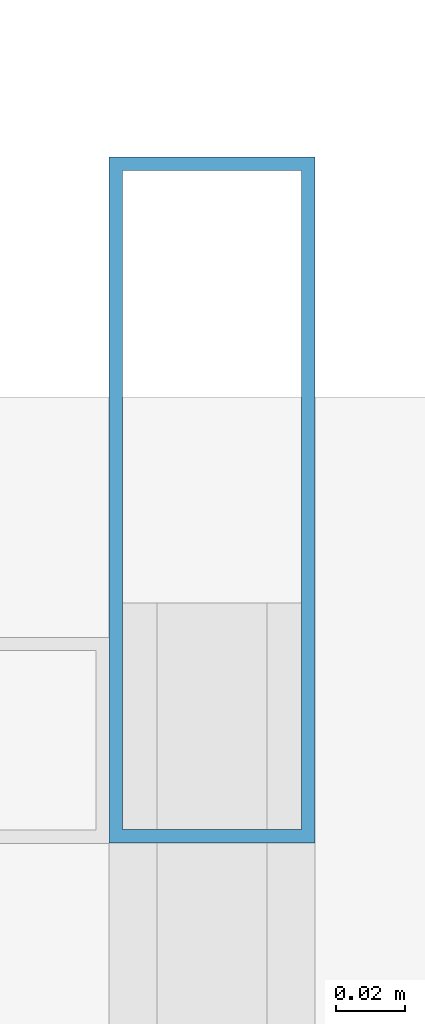
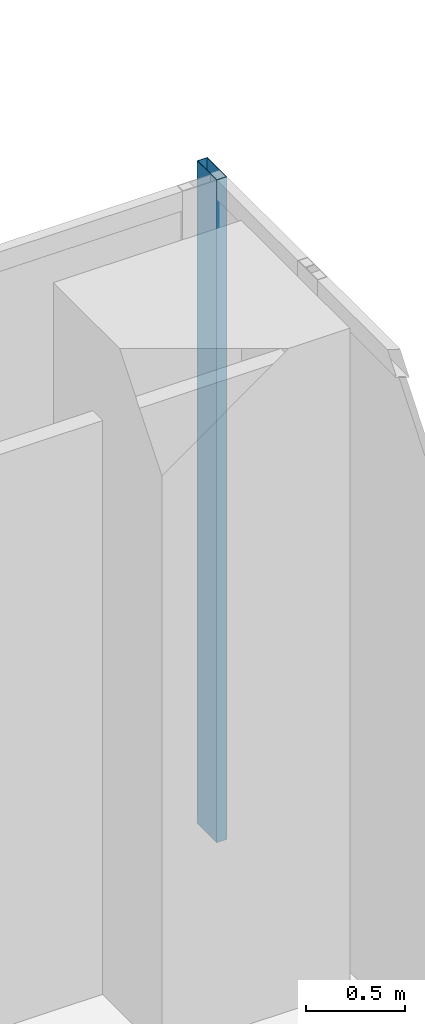
# One storey, part 21 of 34: 1 member, 1 element without a shape of its own.
"""IFC4 building model written with IfcOpenShell, lengths in metres."""

from ifc_helpers import new_model, si_unit, direction, frame, origin, origin_2d, place, context, subcontext, project, spatial, hollow_rectangle, extrude, source, transform, mapped, material, material_profile, profile_set, type_object, element, aggregate, save


model = new_model("IFC4")

# Units and contexts
model_context = context("Model", 3, precision=1e-05, world=origin(), true_north=direction((0.0, 1.0)))
body_context = subcontext(model_context, "Body", "Model", "MODEL_VIEW")
ifc_project = project(units=[si_unit("LENGTHUNIT", "METRE"), si_unit("AREAUNIT", "SQUARE_METRE"), si_unit("VOLUMEUNIT", "CUBIC_METRE"), si_unit("PLANEANGLEUNIT", "RADIAN"), si_unit("MASSUNIT", "GRAM", prefix="KILO")], contexts=[model_context])

# Site, building, storey
site_placement = place(None, origin())
site = spatial("IfcSite", under=ifc_project, at=site_placement, CompositionType="ELEMENT")
building_placement = place(site_placement, origin())
building = spatial("IfcBuilding", under=site, at=building_placement, Name="Khomas Fold Tower", CompositionType="ELEMENT")
storey_placement = place(building_placement, frame((0.0, 0.0, 105.89990234375)))
storey = spatial("IfcBuildingStorey", under=building, at=storey_placement, Name="L22", CompositionType="ELEMENT", Elevation=105.89990234375)

# Curtain wall, member
ifc_material_1 = material(Name="Aluminium framed double glazing", Category="aluminium")
curtain_wall_type = type_object("IfcCurtainWallType", Name="SK-Unitised clear-glass wall, growing floors CW1", PredefinedType="NOTDEFINED", material=ifc_material_1)
curtain_wall_placement = place(storey_placement, origin())
curtain_wall = element("IfcCurtainWall", 1, at=curtain_wall_placement, inside=storey, type_object=curtain_wall_type, Name="CW1 run L22 03-1", PredefinedType="NOTDEFINED")
ifc_material_2 = material(Name="Aluminium", Category="aluminium")
ifc_material_profile = material_profile(ifc_material_2, hollow_rectangle(XDim=0.06005859375, YDim=0.199951171875, WallThickness=0.00390625, at=origin_2d()), Name="SK-Unitised clear-glass wall, growing floors mullion CW1-M")
ifc_profile_set = profile_set([ifc_material_profile], Name="Aluminium")
member_type = type_object("IfcMemberType", Name="SK-Unitised clear-glass wall, growing floors mullion CW1-M", PredefinedType="MULLION", material=ifc_profile_set)
shared_shape = source(origin(), body_context, "Body", "SweptSolid", [
    extrude(hollow_rectangle(XDim=0.06005859375, YDim=0.199951171875, WallThickness=0.00390625, at=origin_2d()), origin(), (0.0, 0.0, 1.0), 4.10009765625),
])
member_placement = place(storey_placement, frame((52.39990234375, 48.969970703125, 0.0), z_axis=(0.0, 0.0, 1.0), x_axis=(-1.0, 0.0, 0.0)))
member = element("IfcMember", 2, at=member_placement, type_object=member_type, Name="CW1 mullion 6", PredefinedType="MULLION", context=body_context, shape_type="MappedRepresentation", body=[
    mapped(shared_shape, transform((0.0, 0.0, 0.0))),
])
aggregate(curtain_wall, [member])

save(model, "model.ifc")
